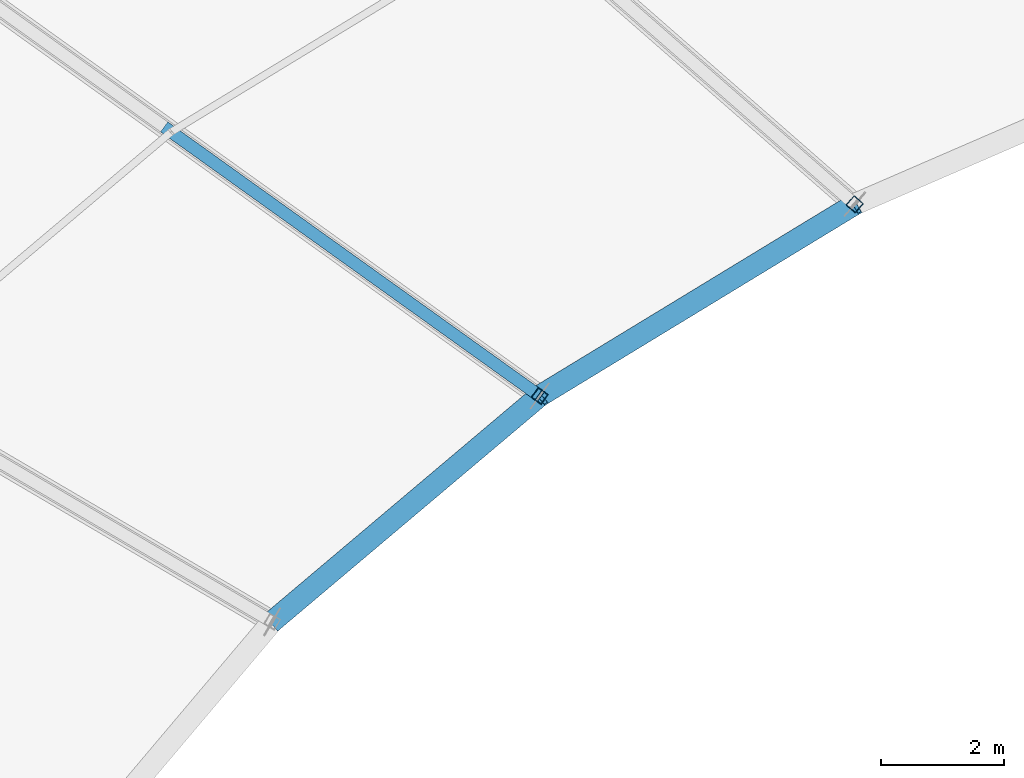
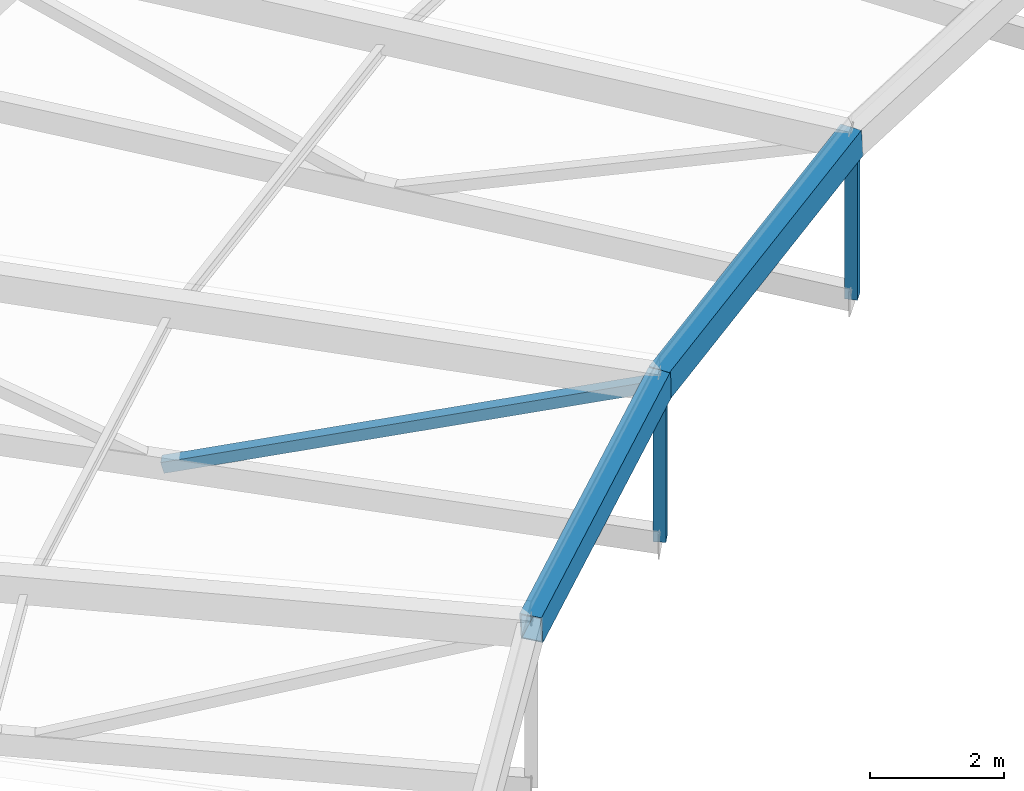
# One storey, part 49 of 143: 3 members, 2 beams.
"""IFC4 building model written with IfcOpenShell, lengths in metres."""

from ifc_helpers import new_model, si_unit, direction, frame, origin, origin_2d, place, context, subcontext, project, spatial, hollow_rectangle, extrude, material, material_profile, profile_set, type_object, element, save


model = new_model("IFC4")

# Units and contexts
model_context = context("Model", 3, precision=1e-05, world=origin(), true_north=direction((0.0, 1.0)))
body_context = subcontext(model_context, "Body", "Model", "MODEL_VIEW")
ifc_project = project(units=[si_unit("LENGTHUNIT", "METRE"), si_unit("AREAUNIT", "SQUARE_METRE"), si_unit("VOLUMEUNIT", "CUBIC_METRE"), si_unit("PLANEANGLEUNIT", "RADIAN"), si_unit("MASSUNIT", "GRAM", prefix="KILO")], contexts=[model_context])

# Site, building, storey
site_placement = place(None, origin())
site = spatial("IfcSite", under=ifc_project, at=site_placement, CompositionType="ELEMENT")
building_placement = place(site_placement, origin())
building = spatial("IfcBuilding", under=site, at=building_placement, Name="Mphavela Belvedere Stadium", CompositionType="ELEMENT")
storey_placement = place(building_placement, frame((0.0, 0.0, 28.800048828125)))
storey = spatial("IfcBuildingStorey", under=building, at=storey_placement, Name="RF", CompositionType="ELEMENT", Elevation=28.800048828125)

# Beams
ifc_material_1 = material(Name="Steel S355", Category="steel")
ifc_material_profile_1 = material_profile(ifc_material_1, hollow_rectangle(XDim=0.35009765625, YDim=0.5, WallThickness=0.02001953125, at=origin_2d()), Name="RHS 500x350x20")
ifc_profile_set_1 = profile_set([ifc_material_profile_1], Name="Steel S355")
beam_type = type_object("IfcBeamType", Name="BM-RING-IN", PredefinedType="BEAM", material=ifc_profile_set_1)
beam_1_placement = place(storey_placement, frame((72.3154296875, 124.35009765625, 5.147216796875), z_axis=(-0.847657355277, -0.515725756117, -0.124514868679), x_axis=(0.519770746181, -0.85430578332, 0.0)))
element("IfcBeam", 1, at=beam_1_placement, inside=storey, type_object=beam_type, Name="Inner tension ring beam RB-IN-18", PredefinedType="BEAM", context=body_context, shape_type="SweptSolid", body=[
    extrude(hollow_rectangle(XDim=0.35009765625, YDim=0.5, WallThickness=0.02001953125, at=origin_2d()), origin(), (0.0, 0.0, 1.0), 6.025390625),
])
beam_2_placement = place(storey_placement, frame((67.2080078125, 121.24267578125, 4.39697265625), z_axis=(-0.757688912206, -0.639326677835, -0.131030192428), x_axis=(0.644886646636, -0.764278230091, 0.0)))
element("IfcBeam", 2, at=beam_2_placement, inside=storey, type_object=beam_type, Name="Inner tension ring beam RB-IN-19", PredefinedType="BEAM", context=body_context, shape_type="SweptSolid", body=[
    extrude(hollow_rectangle(XDim=0.35009765625, YDim=0.5, WallThickness=0.02001953125, at=origin_2d()), origin(), (0.0, 0.0, 1.0), 5.723876953125),
])

# Members
ifc_material_2 = material(Name="Steel S355", Category="steel")
ifc_material_profile_2 = material_profile(ifc_material_2, hollow_rectangle(XDim=0.199951171875, YDim=0.199951171875, WallThickness=0.010009765625, at=origin_2d()), Name="SHS 200x200x10")
ifc_profile_set_2 = profile_set([ifc_material_profile_2], Name="Steel S355")
member_type = type_object("IfcMemberType", Name="MEM-POST-SHS200", PredefinedType="POST", material=ifc_profile_set_2)
member_1_placement = place(storey_placement, frame((72.3154296875, 124.35009765625, 2.297119140625), z_axis=(0.0, 0.0, 1.0), x_axis=(-0.752529860433, 0.658558128912, 0.0)))
element("IfcMember", 3, at=member_1_placement, inside=storey, type_object=member_type, Name="Radial roof truss RT-18 post P4", PredefinedType="POST", context=body_context, shape_type="SweptSolid", body=[
    extrude(hollow_rectangle(XDim=0.199951171875, YDim=0.199951171875, WallThickness=0.010009765625, at=origin_2d()), origin(), (0.0, 0.0, 1.0), 2.85009765625),
])
member_2_placement = place(storey_placement, frame((67.2080078125, 121.24267578125, 1.547119140625), z_axis=(0.0, 0.0, 1.0), x_axis=(-0.812897512265, 0.582406760395, 0.0)))
element("IfcMember", 4, at=member_2_placement, inside=storey, type_object=member_type, Name="Radial roof truss RT-19 post P4", PredefinedType="POST", context=body_context, shape_type="SweptSolid", body=[
    extrude(hollow_rectangle(XDim=0.199951171875, YDim=0.199951171875, WallThickness=0.010009765625, at=origin_2d()), origin(), (0.0, 0.0, 1.0), 2.849853515625),
])
member_3_placement = place(storey_placement, frame((61.140625, 125.58984375, 2.3857421875), z_axis=(0.784892990063, -0.562361362509, 0.260178192988), x_axis=(0.58241953096, 0.812888362542, 0.0)))
element("IfcMember", 5, at=member_3_placement, inside=storey, type_object=member_type, Name="Radial roof truss RT-19 web diagonal D6", PredefinedType="POST", context=body_context, shape_type="SweptSolid", body=[
    extrude(hollow_rectangle(XDim=0.199951171875, YDim=0.199951171875, WallThickness=0.010009765625, at=origin_2d()), origin(), (0.0, 0.0, 1.0), 7.730224609375),
])

save(model, "model.ifc")
